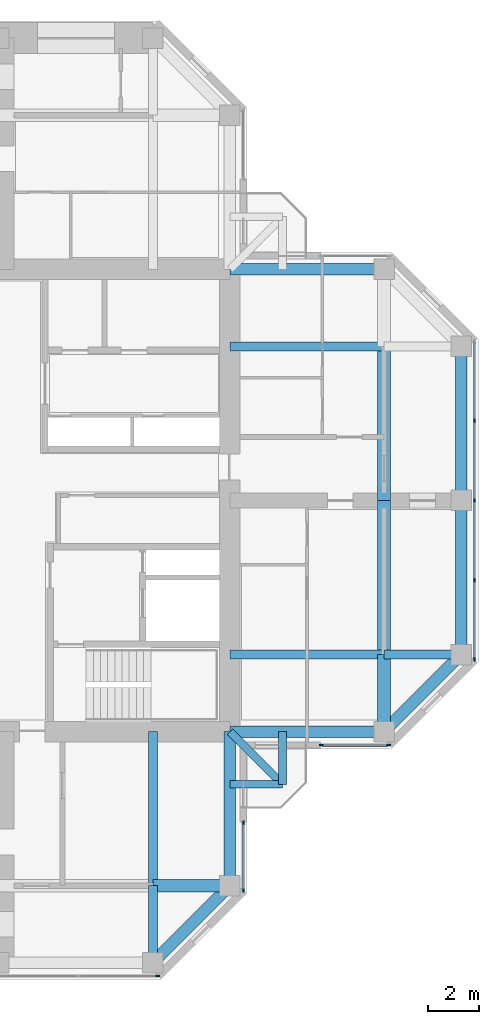
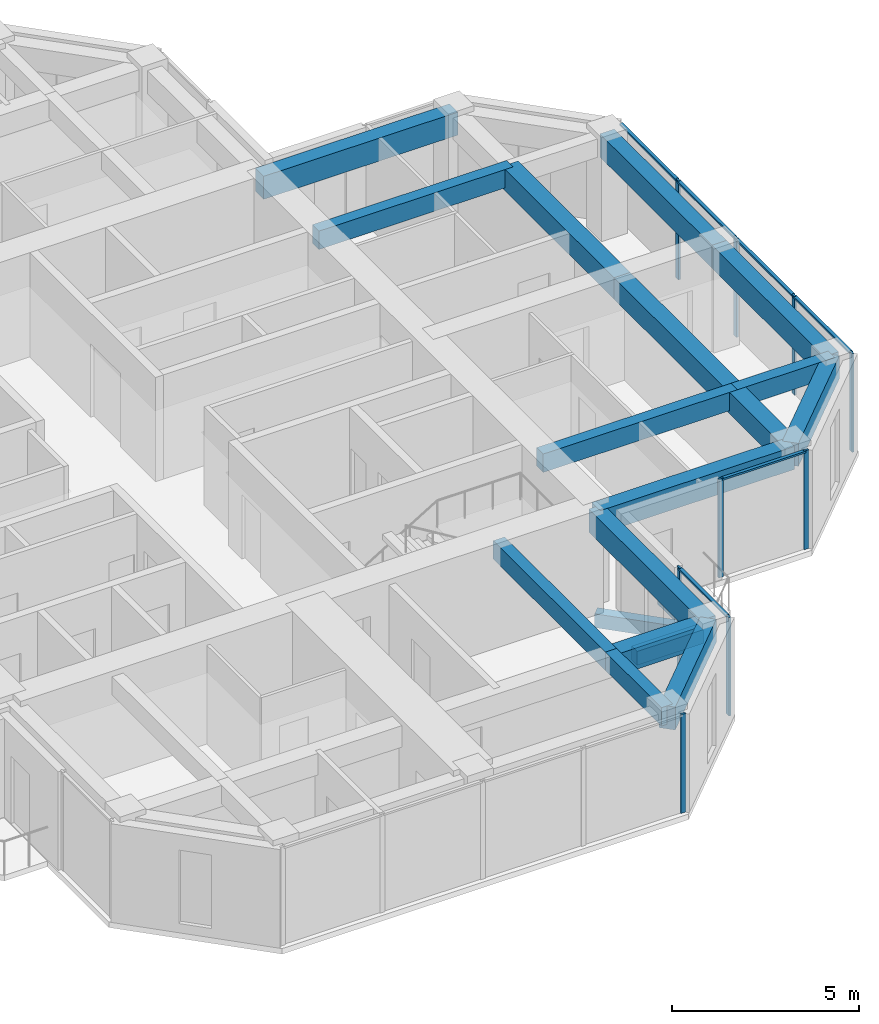
# One storey, part 5 of 13: 19 beams, 15 members, 4 elements without a shape of their own.
"""IFC4 building model written with IfcOpenShell, lengths in metres."""

from ifc_helpers import new_model, si_unit, direction, frame, origin, origin_2d, place, context, subcontext, project, spatial, rectangle, extrude, material, material_profile, profile_set, type_object, element, aggregate, save


model = new_model("IFC4")

# Units and contexts
model_context = context("Model", 3, precision=1e-05, world=origin(), true_north=direction((0.0, 1.0)))
body_context = subcontext(model_context, "Body", "Model", "MODEL_VIEW")
ifc_project = project(units=[si_unit("LENGTHUNIT", "METRE"), si_unit("AREAUNIT", "SQUARE_METRE"), si_unit("VOLUMEUNIT", "CUBIC_METRE"), si_unit("PLANEANGLEUNIT", "RADIAN"), si_unit("MASSUNIT", "GRAM", prefix="KILO")], contexts=[model_context])

# Site, building, storey
site_placement = place(None, origin())
site = spatial("IfcSite", under=ifc_project, at=site_placement, CompositionType="ELEMENT")
building_placement = place(site_placement, origin())
building = spatial("IfcBuilding", under=site, at=building_placement, Name="Torre Cruceta", CompositionType="ELEMENT")
storey_placement = place(building_placement, frame((0.0, 0.0, 245.89990234375)))
storey = spatial("IfcBuildingStorey", under=building, at=storey_placement, Name="L63", CompositionType="ELEMENT", Elevation=245.89990234375)

# Beams
ifc_material_1 = material(Name="Concrete G60 (fck 60 MPa)", Category="concrete")
ifc_material_profile_1 = material_profile(ifc_material_1, rectangle(XDim=0.300048828125, YDim=0.449951171875, at=origin_2d()), Name="RC 300X450")
ifc_profile_set_1 = profile_set([ifc_material_profile_1], Name="Concrete G60 (fck 60 MPa)")
beam_type_1 = type_object("IfcBeamType", Name="BALCONY CANTILEVER BEAM RC 300X450", PredefinedType="BEAM", material=ifc_profile_set_1)
beam_1_placement = place(storey_placement, frame((9.0, -9.0, -0.40478515625), z_axis=(0.707106781187, -0.707106781187, 0.0), x_axis=(0.707106781187, 0.707106781187, 0.0)))
element("IfcBeam", 1, at=beam_1_placement, inside=storey, type_object=beam_type_1, Name="BB1 balcony beam L63 S", PredefinedType="BEAM", context=body_context, shape_type="SweptSolid", body=[
    extrude(rectangle(XDim=0.300048828125, YDim=0.449951171875, at=origin_2d()), origin(), (0.0, 0.0, 1.0), 2.89990234375),
])
for number, where, z_axis, x_axis, name in (
    (2, (11.050537109375, -9.0, -0.40478515625), (0.0, -1.0, 0.0), (1.0, 0.0, 0.0), "BB1 balcony edge beam L63 S-X"),
    (3, (9.0, -11.050537109375, -0.40478515625), (1.0, 0.0, 0.0), (0.0, 1.0, 0.0), "BB1 balcony edge beam L63 S-Y"),
):
    element("IfcBeam", number, at=place(storey_placement, frame(where, z_axis=z_axis, x_axis=x_axis)), inside=storey, type_object=beam_type_1, Name=name, PredefinedType="BEAM", context=body_context, shape_type="SweptSolid", body=[
        extrude(rectangle(XDim=0.300048828125, YDim=0.449951171875, at=origin_2d()), origin(), (0.0, 0.0, 1.0), 2.050537109375),
    ])
ifc_material_2 = material(Name="Concrete G60 (fck 60 MPa)", Category="concrete")
ifc_material_profile_2 = material_profile(ifc_material_2, rectangle(XDim=0.35009765625, YDim=0.60009765625, at=origin_2d()), Name="RC 350X600")
ifc_profile_set_2 = profile_set([ifc_material_profile_2], Name="Concrete G60 (fck 60 MPa)")
beam_type_2 = type_object("IfcBeamType", Name="COLUMN LINE BEAM RC 350X600", PredefinedType="BEAM", material=ifc_profile_set_2)
beam_2_placement = place(storey_placement, frame((9.0, -6.0, 2.920166015625), z_axis=(1.0, 0.0, 0.0), x_axis=(0.0, 1.0, 0.0)))
element("IfcBeam", 4, at=beam_2_placement, inside=storey, type_object=beam_type_2, Name="LB9 L63 E col- 1", PredefinedType="BEAM", context=body_context, shape_type="SweptSolid", body=[
    extrude(rectangle(XDim=0.35009765625, YDim=0.60009765625, at=origin_2d()), origin(), (0.0, 0.0, 1.0), 6.0),
])
beam_3_placement = place(storey_placement, frame((15.0, -6.0, 2.920166015625), z_axis=(1.0, 0.0, 0.0), x_axis=(0.0, 1.0, 0.0)))
element("IfcBeam", 5, at=beam_3_placement, inside=storey, type_object=beam_type_2, Name="LB9 L63 E col- 2", PredefinedType="BEAM", context=body_context, shape_type="SweptSolid", body=[
    extrude(rectangle(XDim=0.35009765625, YDim=0.60009765625, at=origin_2d()), origin(), (0.0, 0.0, 1.0), 3.0),
])
for number, where, z_axis, x_axis, name in (
    (6, (9.0, 6.0, 2.920166015625), (1.0, 0.0, 0.0), (0.0, 1.0, 0.0), "LB9 L63 E col+ 1"),
    (7, (6.0, -9.0, 2.920166015625), (0.0, -1.0, 0.0), (1.0, 0.0, 0.0), "LB9 L63 S col+ 1"),
):
    element("IfcBeam", number, at=place(storey_placement, frame(where, z_axis=z_axis, x_axis=x_axis)), inside=storey, type_object=beam_type_2, Name=name, PredefinedType="BEAM", context=body_context, shape_type="SweptSolid", body=[
        extrude(rectangle(XDim=0.35009765625, YDim=0.60009765625, at=origin_2d()), origin(), (0.0, 0.0, 1.0), 6.0),
    ])
beam_4_placement = place(storey_placement, frame((6.0, -15.0, 2.920166015625), z_axis=(0.0, -1.0, 0.0), x_axis=(1.0, 0.0, 0.0)))
element("IfcBeam", 8, at=beam_4_placement, inside=storey, type_object=beam_type_2, Name="LB9 L63 S col+ 2", PredefinedType="BEAM", context=body_context, shape_type="SweptSolid", body=[
    extrude(rectangle(XDim=0.35009765625, YDim=0.60009765625, at=origin_2d()), origin(), (0.0, 0.0, 1.0), 3.0),
])
ifc_material_3 = material(Name="Concrete G60 (fck 60 MPa)", Category="concrete")
ifc_material_profile_3 = material_profile(ifc_material_3, rectangle(XDim=0.5, YDim=0.699951171875, at=origin_2d()), Name="RC 500X700")
ifc_profile_set_3 = profile_set([ifc_material_profile_3], Name="Concrete G60 (fck 60 MPa)")
beam_type_3 = type_object("IfcBeamType", Name="CROSS BEAM RC 500X700", PredefinedType="BEAM", material=ifc_profile_set_3)
beam_5_placement = place(storey_placement, frame((15.0, -9.0, 2.8701171875), z_axis=(0.0, 1.0, 0.0), x_axis=(-1.0, 0.0, 0.0)))
element("IfcBeam", 9, at=beam_5_placement, inside=storey, type_object=beam_type_3, Name="GB7 L63 E cross15 1", PredefinedType="BEAM", context=body_context, shape_type="SweptSolid", body=[
    extrude(rectangle(XDim=0.5, YDim=0.699951171875, at=origin_2d()), origin(), (0.0, 0.0, 1.0), 3.0),
])
for number, where, z_axis, x_axis, name in (
    (10, (15.0, -6.0, 2.8701171875), (0.0, 1.0, 0.0), (-1.0, 0.0, 0.0), "GB7 L63 E cross15 2"),
    (11, (15.0, 0.0, 2.8701171875), (0.0, 1.0, 0.0), (-1.0, 0.0, 0.0), "GB7 L63 E cross15 3"),
):
    element("IfcBeam", number, at=place(storey_placement, frame(where, z_axis=z_axis, x_axis=x_axis)), inside=storey, type_object=beam_type_3, Name=name, PredefinedType="BEAM", context=body_context, shape_type="SweptSolid", body=[
        extrude(rectangle(XDim=0.5, YDim=0.699951171875, at=origin_2d()), origin(), (0.0, 0.0, 1.0), 6.0),
    ])
beam_6_placement = place(storey_placement, frame((6.0, -15.0, 2.8701171875), z_axis=(1.0, 0.0, 0.0), x_axis=(0.0, 1.0, 0.0)))
element("IfcBeam", 12, at=beam_6_placement, inside=storey, type_object=beam_type_3, Name="GB7 L63 S cross15 4", PredefinedType="BEAM", context=body_context, shape_type="SweptSolid", body=[
    extrude(rectangle(XDim=0.5, YDim=0.699951171875, at=origin_2d()), origin(), (0.0, 0.0, 1.0), 3.0),
])

# Curtain wall, members
ifc_material_4 = material(Name="Aluminium unitised curtain wall", Category="aluminium")
curtain_wall_type = type_object("IfcCurtainWallType", Name="CURTAIN WALL CW-D CO-LIVING UPPER", PredefinedType="USERDEFINED", material=ifc_material_4)
curtain_wall_1_placement = place(storey_placement, origin())
curtain_wall_1 = element("IfcCurtainWall", 13, at=curtain_wall_1_placement, inside=storey, type_object=curtain_wall_type, Name="CW-D L63 E side 00", ObjectType="UNITISED", PredefinedType="USERDEFINED")
ifc_material_5 = material(Name="Aluminium mullion", Category="aluminium")
ifc_material_profile_4 = material_profile(ifc_material_5, rectangle(XDim=0.06005859375, YDim=0.14990234375, at=origin_2d()), Name="AL 60X150")
ifc_profile_set_4 = profile_set([ifc_material_profile_4], Name="Aluminium mullion")
member_type_1 = type_object("IfcMemberType", Name="CW-D MULLION 60X150", PredefinedType="MULLION", material=ifc_profile_set_4)
member_1_placement = place(storey_placement, frame((12.550048828125, -9.52001953125, 0.0), z_axis=(0.0, 0.0, 1.0), x_axis=(0.0, 1.0, 0.0)))
member_1 = element("IfcMember", 14, at=member_1_placement, type_object=member_type_1, Name="CW-D mullion 1", PredefinedType="MULLION", context=body_context, shape_type="SweptSolid", body=[
    extrude(rectangle(XDim=0.06005859375, YDim=0.14990234375, at=origin_2d()), origin(), (0.0, 0.0, 1.0), 3.22021484375),
])
member_2_placement = place(storey_placement, frame((15.185302734375, -9.52001953125, 0.0), z_axis=(0.0, 0.0, 1.0), x_axis=(0.0, 1.0, 0.0)))
member_2 = element("IfcMember", 15, at=member_2_placement, type_object=member_type_1, Name="CW-D mullion 2", PredefinedType="MULLION", context=body_context, shape_type="SweptSolid", body=[
    extrude(rectangle(XDim=0.06005859375, YDim=0.14990234375, at=origin_2d()), origin(), (0.0, 0.0, 1.0), 3.22021484375),
])

curtain_wall_2_placement = place(storey_placement, origin())
curtain_wall_2 = element("IfcCurtainWall", 16, at=curtain_wall_2_placement, inside=storey, type_object=curtain_wall_type, Name="CW-D L63 E tip 02", ObjectType="UNITISED", PredefinedType="USERDEFINED")
member_3_placement = place(storey_placement, frame((18.52001953125, -6.185302734375, 0.0), z_axis=(0.0, 0.0, 1.0), x_axis=(-1.0, 0.0, 0.0)))
member_3 = element("IfcMember", 17, at=member_3_placement, type_object=member_type_1, Name="CW-D mullion 1", PredefinedType="MULLION", context=body_context, shape_type="SweptSolid", body=[
    extrude(rectangle(XDim=0.06005859375, YDim=0.14990234375, at=origin_2d()), origin(), (0.0, 0.0, 1.0), 3.22021484375),
])
member_4_placement = place(storey_placement, frame((18.52001953125, -3.107666015625, 0.0), z_axis=(0.0, 0.0, 1.0), x_axis=(-1.0, 0.0, 0.0)))
member_4 = element("IfcMember", 18, at=member_4_placement, type_object=member_type_1, Name="CW-D mullion 2", PredefinedType="MULLION", context=body_context, shape_type="SweptSolid", body=[
    extrude(rectangle(XDim=0.06005859375, YDim=0.14990234375, at=origin_2d()), origin(), (0.0, 0.0, 1.0), 3.22021484375),
])
member_5_placement = place(storey_placement, frame((18.52001953125, 0.0, 0.0), z_axis=(0.0, 0.0, 1.0), x_axis=(-1.0, 0.0, 0.0)))
member_5 = element("IfcMember", 19, at=member_5_placement, type_object=member_type_1, Name="CW-D mullion 3", PredefinedType="MULLION", context=body_context, shape_type="SweptSolid", body=[
    extrude(rectangle(XDim=0.06005859375, YDim=0.14990234375, at=origin_2d()), origin(), (0.0, 0.0, 1.0), 3.22021484375),
])
member_6_placement = place(storey_placement, frame((18.52001953125, 3.107666015625, 0.0), z_axis=(0.0, 0.0, 1.0), x_axis=(-1.0, 0.0, 0.0)))
member_6 = element("IfcMember", 20, at=member_6_placement, type_object=member_type_1, Name="CW-D mullion 4", PredefinedType="MULLION", context=body_context, shape_type="SweptSolid", body=[
    extrude(rectangle(XDim=0.06005859375, YDim=0.14990234375, at=origin_2d()), origin(), (0.0, 0.0, 1.0), 3.22021484375),
])

# Curtain wall, member
curtain_wall_3_placement = place(storey_placement, origin())
curtain_wall_3 = element("IfcCurtainWall", 21, at=curtain_wall_3_placement, inside=storey, type_object=curtain_wall_type, Name="CW-D L63 S tip 17", ObjectType="UNITISED", PredefinedType="USERDEFINED")
member_7_placement = place(storey_placement, frame((6.185302734375, -18.52001953125, 0.0), z_axis=(0.0, 0.0, 1.0), x_axis=(0.0, 1.0, 0.0)))
member_7 = element("IfcMember", 22, at=member_7_placement, type_object=member_type_1, Name="CW-D mullion 5", PredefinedType="MULLION", context=body_context, shape_type="SweptSolid", body=[
    extrude(rectangle(XDim=0.06005859375, YDim=0.14990234375, at=origin_2d()), origin(), (0.0, 0.0, 1.0), 3.22021484375),
])
aggregate(curtain_wall_3, [member_7])

# Curtain wall, members
curtain_wall_4_placement = place(storey_placement, origin())
curtain_wall_4 = element("IfcCurtainWall", 23, at=curtain_wall_4_placement, inside=storey, type_object=curtain_wall_type, Name="CW-D L63 S side 19", ObjectType="UNITISED", PredefinedType="USERDEFINED")
member_8_placement = place(storey_placement, frame((9.52001953125, -15.185302734375, 0.0), z_axis=(0.0, 0.0, 1.0), x_axis=(-1.0, 0.0, 0.0)))
member_8 = element("IfcMember", 24, at=member_8_placement, type_object=member_type_1, Name="CW-D mullion 1", PredefinedType="MULLION", context=body_context, shape_type="SweptSolid", body=[
    extrude(rectangle(XDim=0.06005859375, YDim=0.14990234375, at=origin_2d()), origin(), (0.0, 0.0, 1.0), 3.22021484375),
])
member_9_placement = place(storey_placement, frame((9.52001953125, -12.550048828125, 0.0), z_axis=(0.0, 0.0, 1.0), x_axis=(-1.0, 0.0, 0.0)))
member_9 = element("IfcMember", 25, at=member_9_placement, type_object=member_type_1, Name="CW-D mullion 2", PredefinedType="MULLION", context=body_context, shape_type="SweptSolid", body=[
    extrude(rectangle(XDim=0.06005859375, YDim=0.14990234375, at=origin_2d()), origin(), (0.0, 0.0, 1.0), 3.22021484375),
])

# Member
ifc_material_6 = material(Name="Aluminium transom", Category="aluminium")
ifc_material_profile_5 = material_profile(ifc_material_6, rectangle(XDim=0.10009765625, YDim=0.06005859375, at=origin_2d()), Name="AL 100X60")
ifc_profile_set_5 = profile_set([ifc_material_profile_5], Name="Aluminium transom")
member_type_2 = type_object("IfcMemberType", Name="CW-D TRANSOM 60X100", PredefinedType="USERDEFINED", material=ifc_profile_set_5)
member_10_placement = place(storey_placement, frame((12.580078125, -9.52001953125, 3.190185546875), z_axis=(1.0, 0.0, 0.0), x_axis=(0.0, 1.0, 0.0)))
member_10 = element("IfcMember", 26, at=member_10_placement, type_object=member_type_2, Name="CW-D transom 1", ObjectType="TRANSOM", PredefinedType="USERDEFINED", context=body_context, shape_type="SweptSolid", body=[
    extrude(rectangle(XDim=0.10009765625, YDim=0.06005859375, at=origin_2d()), origin(), (0.0, 0.0, 1.0), 2.5751953125),
])

aggregate(curtain_wall_1, [member_1, member_2, member_10])

member_11_placement = place(storey_placement, frame((18.52001953125, -6.1552734375, 3.190185546875), z_axis=(0.0, 1.0, 0.0), x_axis=(-1.0, 0.0, 0.0)))
member_11 = element("IfcMember", 27, at=member_11_placement, type_object=member_type_2, Name="CW-D transom 1", ObjectType="TRANSOM", PredefinedType="USERDEFINED", context=body_context, shape_type="SweptSolid", body=[
    extrude(rectangle(XDim=0.10009765625, YDim=0.06005859375, at=origin_2d()), origin(), (0.0, 0.0, 1.0), 3.017578125),
])

member_12_placement = place(storey_placement, frame((18.52001953125, -3.07763671875, 3.190185546875), z_axis=(0.0, 1.0, 0.0), x_axis=(-1.0, 0.0, 0.0)))
member_12 = element("IfcMember", 28, at=member_12_placement, type_object=member_type_2, Name="CW-D transom 2", ObjectType="TRANSOM", PredefinedType="USERDEFINED", context=body_context, shape_type="SweptSolid", body=[
    extrude(rectangle(XDim=0.10009765625, YDim=0.06005859375, at=origin_2d()), origin(), (0.0, 0.0, 1.0), 3.047607421875),
])

member_13_placement = place(storey_placement, frame((18.52001953125, 0.030029296875, 3.190185546875), z_axis=(0.0, 1.0, 0.0), x_axis=(-1.0, 0.0, 0.0)))
member_13 = element("IfcMember", 29, at=member_13_placement, type_object=member_type_2, Name="CW-D transom 3", ObjectType="TRANSOM", PredefinedType="USERDEFINED", context=body_context, shape_type="SweptSolid", body=[
    extrude(rectangle(XDim=0.10009765625, YDim=0.06005859375, at=origin_2d()), origin(), (0.0, 0.0, 1.0), 3.047607421875),
])

member_14_placement = place(storey_placement, frame((18.52001953125, 3.1376953125, 3.190185546875), z_axis=(0.0, 1.0, 0.0), x_axis=(-1.0, 0.0, 0.0)))
member_14 = element("IfcMember", 30, at=member_14_placement, type_object=member_type_2, Name="CW-D transom 4", ObjectType="TRANSOM", PredefinedType="USERDEFINED", context=body_context, shape_type="SweptSolid", body=[
    extrude(rectangle(XDim=0.10009765625, YDim=0.06005859375, at=origin_2d()), origin(), (0.0, 0.0, 1.0), 3.017578125),
])

aggregate(curtain_wall_2, [member_3, member_4, member_5, member_6, member_11, member_12, member_13, member_14])

member_15_placement = place(storey_placement, frame((9.52001953125, -15.1552734375, 3.190185546875), z_axis=(0.0, 1.0, 0.0), x_axis=(-1.0, 0.0, 0.0)))
member_15 = element("IfcMember", 31, at=member_15_placement, type_object=member_type_2, Name="CW-D transom 1", ObjectType="TRANSOM", PredefinedType="USERDEFINED", context=body_context, shape_type="SweptSolid", body=[
    extrude(rectangle(XDim=0.10009765625, YDim=0.06005859375, at=origin_2d()), origin(), (0.0, 0.0, 1.0), 2.5751953125),
])

aggregate(curtain_wall_4, [member_8, member_9, member_15])

# Beams
ifc_material_7 = material(Name="Concrete G60 (fck 60 MPa)", Category="concrete")
ifc_material_profile_6 = material_profile(ifc_material_7, rectangle(XDim=0.449951171875, YDim=0.75, at=origin_2d()), Name="RC 450X750")
ifc_profile_set_6 = profile_set([ifc_material_profile_6], Name="Concrete G60 (fck 60 MPa)")
beam_type_4 = type_object("IfcBeamType", Name="SPANDREL BEAM RC 450X750", PredefinedType="SPANDREL", material=ifc_profile_set_6)
beam_7_placement = place(storey_placement, frame((9.0, -9.0, 2.84521484375), z_axis=(1.0, 0.0, 0.0), x_axis=(0.0, 1.0, 0.0)))
element("IfcBeam", 32, at=beam_7_placement, inside=storey, type_object=beam_type_4, Name="SB7 L63 E side- 1", PredefinedType="SPANDREL", context=body_context, shape_type="SweptSolid", body=[
    extrude(rectangle(XDim=0.449951171875, YDim=0.75, at=origin_2d()), origin(), (0.0, 0.0, 1.0), 6.0),
])
beam_8_placement = place(storey_placement, frame((15.0, -9.0, 2.84521484375), z_axis=(0.707106781187, 0.707106781187, 0.0), x_axis=(-0.707106781187, 0.707106781187, 0.0)))
element("IfcBeam", 33, at=beam_8_placement, inside=storey, type_object=beam_type_4, Name="SB7 L63 E side- 2", PredefinedType="SPANDREL", context=body_context, shape_type="SweptSolid", body=[
    extrude(rectangle(XDim=0.449951171875, YDim=0.75, at=origin_2d()), origin(), (0.0, 0.0, 1.0), 4.24267578125),
])
for number, where, z_axis, x_axis, name in (
    (34, (9.0, 9.0, 2.84521484375), (1.0, 0.0, 0.0), (0.0, 1.0, 0.0), "SB7 L63 E side+ 1"),
    (35, (18.0, -6.0, 2.84521484375), (0.0, 1.0, 0.0), (-1.0, 0.0, 0.0), "SB7 L63 E tip 1"),
    (36, (18.0, 0.0, 2.84521484375), (0.0, 1.0, 0.0), (-1.0, 0.0, 0.0), "SB7 L63 E tip 2"),
    (37, (9.0, -9.0, 2.84521484375), (0.0, -1.0, 0.0), (1.0, 0.0, 0.0), "SB7 L63 S side+ 1"),
):
    element("IfcBeam", number, at=place(storey_placement, frame(where, z_axis=z_axis, x_axis=x_axis)), inside=storey, type_object=beam_type_4, Name=name, PredefinedType="SPANDREL", context=body_context, shape_type="SweptSolid", body=[
        extrude(rectangle(XDim=0.449951171875, YDim=0.75, at=origin_2d()), origin(), (0.0, 0.0, 1.0), 6.0),
    ])
beam_9_placement = place(storey_placement, frame((9.0, -15.0, 2.84521484375), z_axis=(-0.707106781187, -0.707106781187, 0.0), x_axis=(0.707106781187, -0.707106781187, 0.0)))
element("IfcBeam", 38, at=beam_9_placement, inside=storey, type_object=beam_type_4, Name="SB7 L63 S side+ 2", PredefinedType="SPANDREL", context=body_context, shape_type="SweptSolid", body=[
    extrude(rectangle(XDim=0.449951171875, YDim=0.75, at=origin_2d()), origin(), (0.0, 0.0, 1.0), 4.24267578125),
])

save(model, "model.ifc")
